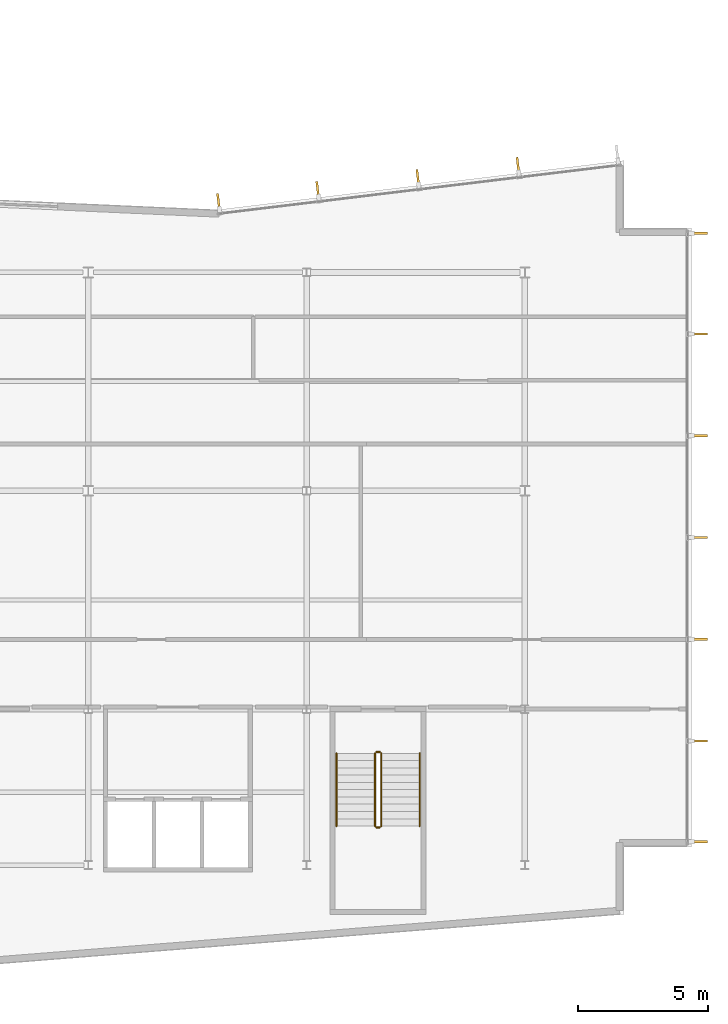
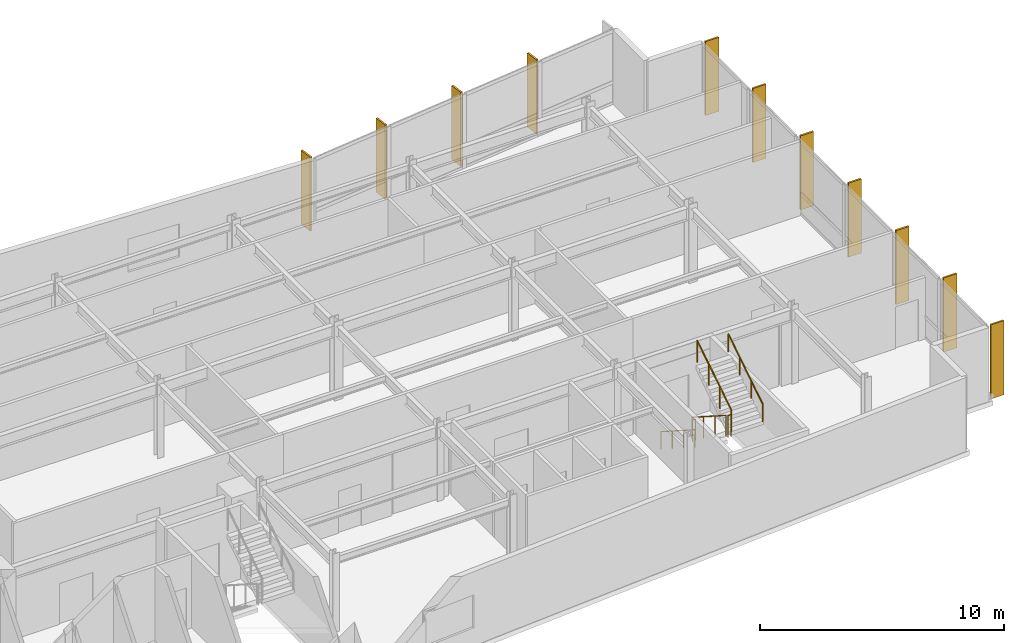
# One storey, part 14 of 16: 11 shading devices, 6 railings.
"""IFC4 building model written with IfcOpenShell, lengths in metres."""

from ifc_helpers import new_model, si_unit, direction, frame, origin, origin_2d, place, context, subcontext, project, spatial, rectangle, circle, extrude, material, layer, layer_set, type_object, element, save


model = new_model("IFC4")

# Units and contexts
model_context = context("Model", 3, precision=1e-05, world=origin(), true_north=direction((0.0, 1.0)))
body_context = subcontext(model_context, "Body", "Model", "MODEL_VIEW")
ifc_project = project(units=[si_unit("LENGTHUNIT", "METRE"), si_unit("AREAUNIT", "SQUARE_METRE"), si_unit("VOLUMEUNIT", "CUBIC_METRE"), si_unit("PLANEANGLEUNIT", "RADIAN"), si_unit("MASSUNIT", "GRAM", prefix="KILO")], contexts=[model_context])

# Site, building, storey
site_placement = place(None, origin())
site = spatial("IfcSite", under=ifc_project, at=site_placement, CompositionType="ELEMENT")
building_placement = place(site_placement, origin())
building = spatial("IfcBuilding", under=site, at=building_placement, Name="Varnakote Quay Hospital", CompositionType="ELEMENT")
storey_placement = place(building_placement, frame((0.0, 0.0, 166.550048828125)))
storey = spatial("IfcBuildingStorey", under=building, at=storey_placement, Name="L41", CompositionType="ELEMENT", Elevation=166.550048828125)

# Railings
ifc_material_1 = material(Name="Brushed stainless steel balustrade", Category="steel")
railing_type_1 = type_object("IfcRailingType", Name="RLG-STAIR-GUARD-1150", PredefinedType="GUARDRAIL", material=ifc_material_1)
railing_1_placement = place(storey_placement, frame((44.6298828125, 10.300048828125, 0.179443359375)))
element("IfcRailing", 1, at=railing_1_placement, inside=storey, type_object=railing_type_1, Name="L41 ST-03 stair guard 1", PredefinedType="GUARDRAIL", context=body_context, shape_type="SweptSolid", body=[
    extrude(circle(Radius=0.02392578125, at=origin_2d()), frame((0.0, 0.0, 1.076171875), z_axis=(0.0, -0.841809871826, 0.539774156196), x_axis=(1.0, 0.0, 0.0)), (0.0, 0.0, 1.0), 3.326171875),
    extrude(circle(Radius=0.02099609375, at=origin_2d()), origin(), (0.0, 0.0, 1.0), 1.052001953125),
    extrude(circle(Radius=0.02099609375, at=origin_2d()), frame((0.0, -0.933349609375, 0.598388671875)), (0.0, 0.0, 1.0), 1.052001953125),
    extrude(circle(Radius=0.02099609375, at=origin_2d()), frame((0.0, -1.86669921875, 1.197021484375)), (0.0, 0.0, 1.0), 1.052001953125),
    extrude(circle(Radius=0.02099609375, at=origin_2d()), frame((0.0, -2.800048828125, 1.79541015625)), (0.0, 0.0, 1.0), 1.052001953125),
])
railing_2_placement = place(storey_placement, frame((44.679931640625, 7.449951171875, 1.974853515625)))
element("IfcRailing", 2, at=railing_2_placement, inside=storey, type_object=railing_type_1, Name="L41 ST-03 stair guard 2", PredefinedType="GUARDRAIL", context=body_context, shape_type="SweptSolid", body=[
    extrude(circle(Radius=0.02392578125, at=origin_2d()), frame((0.0, 0.0, 1.076171875), z_axis=(1.0, 0.0, 0.0), x_axis=(0.0, 1.0, 0.0)), (0.0, 0.0, 1.0), 0.14013671875),
    extrude(circle(Radius=0.02099609375, at=origin_2d()), origin(), (0.0, 0.0, 1.0), 1.052001953125),
    extrude(circle(Radius=0.02099609375, at=origin_2d()), frame((0.14013671875, 0.0, 0.0)), (0.0, 0.0, 1.0), 1.052001953125),
])
railing_3_placement = place(storey_placement, frame((44.8701171875, 7.5, 2.154541015625)))
element("IfcRailing", 3, at=railing_3_placement, inside=storey, type_object=railing_type_1, Name="L41 ST-03 stair guard 3", PredefinedType="GUARDRAIL", context=body_context, shape_type="SweptSolid", body=[
    extrude(circle(Radius=0.02392578125, at=origin_2d()), frame((0.0, 0.0, 1.076171875), z_axis=(0.0, 0.841809871826, 0.539774156196), x_axis=(-1.0, 0.0, 0.0)), (0.0, 0.0, 1.0), 3.326171875),
    extrude(circle(Radius=0.02099609375, at=origin_2d()), origin(), (0.0, 0.0, 1.0), 1.052001953125),
    extrude(circle(Radius=0.02099609375, at=origin_2d()), frame((0.0, 0.933349609375, 0.598388671875)), (0.0, 0.0, 1.0), 1.052001953125),
    extrude(circle(Radius=0.02099609375, at=origin_2d()), frame((0.0, 1.86669921875, 1.197021484375)), (0.0, 0.0, 1.0), 1.052001953125),
    extrude(circle(Radius=0.02099609375, at=origin_2d()), frame((0.0, 2.800048828125, 1.79541015625)), (0.0, 0.0, 1.0), 1.052001953125),
])
railing_4_placement = place(storey_placement, frame((44.679931640625, 10.35009765625, 0.0)))
element("IfcRailing", 4, at=railing_4_placement, inside=storey, type_object=railing_type_1, Name="L41 ST-03 stair guard 4", PredefinedType="GUARDRAIL", context=body_context, shape_type="SweptSolid", body=[
    extrude(circle(Radius=0.02392578125, at=origin_2d()), frame((0.0, 0.0, 1.076171875), z_axis=(1.0, 0.0, 0.0), x_axis=(0.0, 1.0, 0.0)), (0.0, 0.0, 1.0), 0.14013671875),
    extrude(circle(Radius=0.02099609375, at=origin_2d()), origin(), (0.0, 0.0, 1.0), 1.052001953125),
    extrude(circle(Radius=0.02099609375, at=origin_2d()), frame((0.14013671875, 0.0, 0.0)), (0.0, 0.0, 1.0), 1.052001953125),
])
ifc_material_2 = material(Name="Brushed stainless steel handrail", Category="steel")
railing_type_2 = type_object("IfcRailingType", Name="RLG-STAIR-HND-920", PredefinedType="HANDRAIL", material=ifc_material_2)
railing_5_placement = place(storey_placement, frame((43.14990234375, 10.300048828125, 0.179443359375)))
element("IfcRailing", 5, at=railing_5_placement, inside=storey, type_object=railing_type_2, Name="L41 ST-03 stair handrail 1", PredefinedType="HANDRAIL", context=body_context, shape_type="SweptSolid", body=[
    extrude(circle(Radius=0.02392578125, at=origin_2d()), frame((0.0, 0.0, 0.8759765625), z_axis=(0.0, -0.841809871826, 0.539774156196), x_axis=(1.0, 0.0, 0.0)), (0.0, 0.0, 1.0), 3.326171875),
    extrude(circle(Radius=0.02099609375, at=origin_2d()), origin(), (0.0, 0.0, 1.0), 0.851806640625),
    extrude(circle(Radius=0.02099609375, at=origin_2d()), frame((0.0, -0.933349609375, 0.598388671875)), (0.0, 0.0, 1.0), 0.851806640625),
    extrude(circle(Radius=0.02099609375, at=origin_2d()), frame((0.0, -1.86669921875, 1.197021484375)), (0.0, 0.0, 1.0), 0.851806640625),
    extrude(circle(Radius=0.02099609375, at=origin_2d()), frame((0.0, -2.800048828125, 1.79541015625)), (0.0, 0.0, 1.0), 0.851806640625),
])
railing_6_placement = place(storey_placement, frame((46.35009765625, 7.5, 2.154541015625)))
element("IfcRailing", 6, at=railing_6_placement, inside=storey, type_object=railing_type_2, Name="L41 ST-03 stair handrail 2", PredefinedType="HANDRAIL", context=body_context, shape_type="SweptSolid", body=[
    extrude(circle(Radius=0.02392578125, at=origin_2d()), frame((0.0, 0.0, 0.8759765625), z_axis=(0.0, 0.841809871826, 0.539774156196), x_axis=(-1.0, 0.0, 0.0)), (0.0, 0.0, 1.0), 3.326171875),
    extrude(circle(Radius=0.02099609375, at=origin_2d()), origin(), (0.0, 0.0, 1.0), 0.851806640625),
    extrude(circle(Radius=0.02099609375, at=origin_2d()), frame((0.0, 0.933349609375, 0.598388671875)), (0.0, 0.0, 1.0), 0.851806640625),
    extrude(circle(Radius=0.02099609375, at=origin_2d()), frame((0.0, 1.86669921875, 1.197021484375)), (0.0, 0.0, 1.0), 0.851806640625),
    extrude(circle(Radius=0.02099609375, at=origin_2d()), frame((0.0, 2.800048828125, 1.79541015625)), (0.0, 0.0, 1.0), 0.851806640625),
])

# Shading devices
ifc_material_3 = material(Name="Anodised aluminium 6063-T6 Bronze", Category="aluminium")
ifc_layer = layer(ifc_material_3, 0.0849609375)
ifc_layer_set = layer_set([ifc_layer], Name="Anodised aluminium 6063-T6 Bronze")
shading_device_type = type_object("IfcShadingDeviceType", Name="SHD-BRONZE-FIN-620", PredefinedType="USERDEFINED", material=ifc_layer_set)
for number, where, z_axis, x_axis, name in (
    (7, (57.110107421875, 6.8974609375, 0.0), (0.0, 0.0, 1.0), (-1.0, 0.0, 0.0), "L41 Anodised Bronze Vertical Shading FIN"),
    (8, (57.110107421875, 10.773193359375, 0.0), (0.0, 0.0, 1.0), (-1.0, 0.0, 0.0), "L41 Anodised Bronze Vertical Shading FIN"),
    (9, (57.110107421875, 14.686767578125, 0.0), (0.0, 0.0, 1.0), (-1.0, 0.0, 0.0), "L41 Anodised Bronze Vertical Shading FIN"),
    (10, (57.110107421875, 18.60009765625, 0.0), (0.0, 0.0, 1.0), (-1.0, 0.0, 0.0), "L41 Anodised Bronze Vertical Shading FIN"),
    (11, (57.110107421875, 22.51318359375, 0.0), (0.0, 0.0, 1.0), (-1.0, 0.0, 0.0), "L41 Anodised Bronze Vertical Shading FIN"),
    (12, (57.110107421875, 26.4267578125, 0.0), (0.0, 0.0, 1.0), (-1.0, 0.0, 0.0), "L41 Anodised Bronze Vertical Shading FIN"),
    (13, (57.110107421875, 30.302490234375, 0.0), (0.0, 0.0, 1.0), (-1.0, 0.0, 0.0), "L41 Anodised Bronze Vertical Shading FIN"),
    (14, (50.131103515625, 32.9189453125, 0.0), (0.0, 0.0, 1.0), (0.120310105847, -0.992736358975, 0.0), "L41 Anodised Bronze Vertical Shading FIN"),
    (15, (46.278564453125, 32.4521484375, 0.0), (0.0, 0.0, 1.0), (0.120310105847, -0.992736358975, 0.0), "L41 Anodised Bronze Vertical Shading FIN"),
    (16, (42.426025390625, 31.985107421875, 0.0), (0.0, 0.0, 1.0), (0.120310105847, -0.992736358975, 0.0), "L41 Anodised Bronze Vertical Shading FIN"),
    (17, (38.61083984375, 31.522705078125, 0.0), (0.0, 0.0, 1.0), (0.120310105847, -0.992736358975, 0.0), "L41 Anodised Bronze Vertical Shading FIN"),
):
    element("IfcShadingDevice", number, at=place(storey_placement, frame(where, z_axis=z_axis, x_axis=x_axis)), inside=storey, type_object=shading_device_type, Name=name, ObjectType="FIN", PredefinedType="USERDEFINED", context=body_context, shape_type="SweptSolid", body=[
        extrude(rectangle(XDim=0.6201171875, YDim=0.0849609375, at=origin_2d()), origin(), (0.0, 0.0, 1.0), 3.7099609375),
    ])

save(model, "model.ifc")
